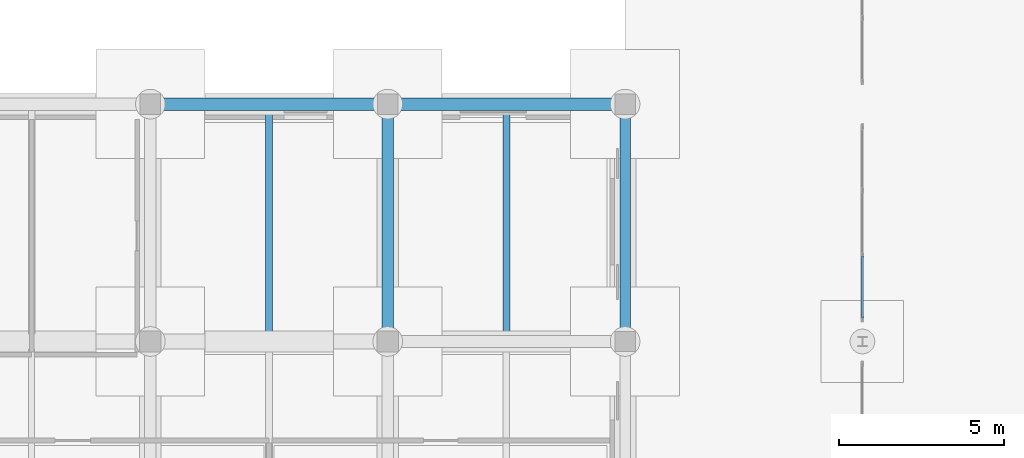
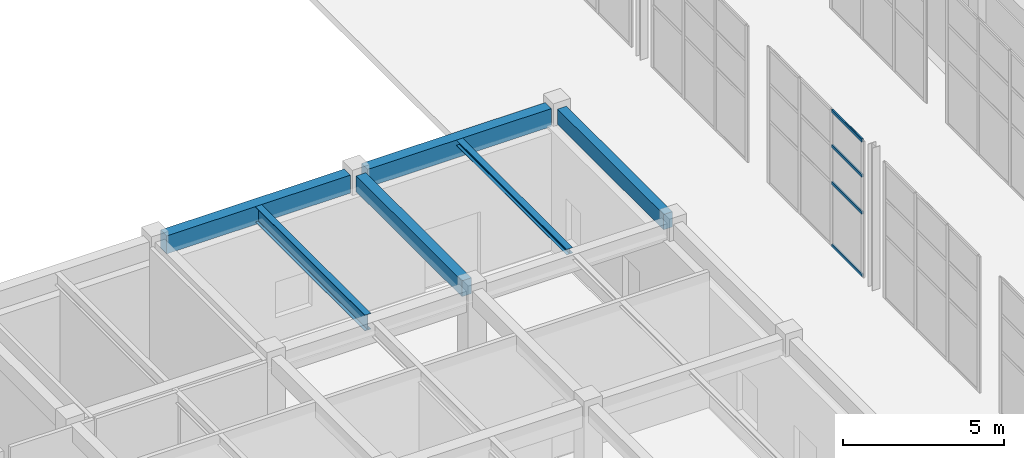
# One storey, part 26 of 91: 6 beams, 4 members, 1 element without a shape of its own.
"""IFC4 building model written with IfcOpenShell, lengths in metres."""

from ifc_helpers import new_model, si_unit, direction, frame, origin, origin_2d, place, context, subcontext, project, spatial, rectangle, hollow_rectangle, i_section, extrude, material, material_profile, profile_set, type_object, element, aggregate, save


model = new_model("IFC4")

# Units and contexts
model_context = context("Model", 3, precision=1e-05, world=origin(), true_north=direction((0.0, 1.0)))
body_context = subcontext(model_context, "Body", "Model", "MODEL_VIEW")
ifc_project = project(units=[si_unit("LENGTHUNIT", "METRE"), si_unit("AREAUNIT", "SQUARE_METRE"), si_unit("VOLUMEUNIT", "CUBIC_METRE"), si_unit("PLANEANGLEUNIT", "RADIAN"), si_unit("MASSUNIT", "GRAM", prefix="KILO")], contexts=[model_context])

# Site, building, storey
site_placement = place(None, origin())
site = spatial("IfcSite", under=ifc_project, at=site_placement, CompositionType="ELEMENT")
building_placement = place(site_placement, origin())
building = spatial("IfcBuilding", under=site, at=building_placement, Name="Bramveld Media Centre", CompositionType="ELEMENT")
storey_placement = place(building_placement, origin())
storey = spatial("IfcBuildingStorey", under=building, at=storey_placement, Name="L00", CompositionType="ELEMENT", Elevation=0.0)

# Beam
ifc_material_1 = material(Name="Concrete C40/50", Category="concrete")
ifc_material_profile_1 = material_profile(ifc_material_1, rectangle(XDim=0.35009765625, YDim=0.60009765625, at=origin_2d()), Name="RC 350x600")
ifc_profile_set_1 = profile_set([ifc_material_profile_1], Name="Concrete C40/50")
beam_type_1 = type_object("IfcBeamType", Name="BM-INT-RC-350x600", PredefinedType="BEAM", material=ifc_profile_set_1)
beam_1_placement = place(storey_placement, frame((101.60009765625, 14.72509765625, 4.85009765625), z_axis=(0.0, 1.0, 0.0), x_axis=(-1.0, 0.0, 0.0)))
element("IfcBeam", 1, at=beam_1_placement, inside=storey, type_object=beam_type_1, Name="V5 L00 girder Y-697", PredefinedType="BEAM", context=body_context, shape_type="SweptSolid", body=[
    extrude(rectangle(XDim=0.35009765625, YDim=0.60009765625, at=origin_2d()), origin(), (0.0, 0.0, 1.0), 6.56494140625),
])

# Curtain wall, members
ifc_material_2 = material(Name="Thermally broken anodized bronze aluminium unitized curtain wall with solar-control triple glazing", Category="aluminium")
curtain_wall_type = type_object("IfcCurtainWallType", Name="CW-GAL-5900x5160", PredefinedType="NOTDEFINED", material=ifc_material_2)
curtain_wall_placement = place(storey_placement, origin())
curtain_wall = element("IfcCurtainWall", 2, at=curtain_wall_placement, inside=storey, type_object=curtain_wall_type, Name="PASS-M colonnade glazed screen 3", PredefinedType="NOTDEFINED")
ifc_material_3 = material(Name="Thermally broken anodized bronze aluminium EN AW-6063 T6 curtain-wall framing", Category="aluminium")
ifc_material_profile_2 = material_profile(ifc_material_3, hollow_rectangle(XDim=0.06005859375, YDim=0.1201171875, WallThickness=0.00341796875, InnerFilletRadius=0.00341796875, OuterFilletRadius=0.007080078125, at=origin_2d()), Name="AL-TRAN 60x120")
ifc_profile_set_2 = profile_set([ifc_material_profile_2], Name="Thermally broken anodized bronze aluminium EN AW-6063 T6 curtain-wall framing")
member_type = type_object("IfcMemberType", Name="CW-TRAN-EXT", PredefinedType="USERDEFINED", material=ifc_profile_set_2)
member_1_placement = place(storey_placement, frame((116.0, 15.110107421875, 0.030029296875), z_axis=(0.0, 1.0, 0.0), x_axis=(-1.0, 0.0, 0.0)))
member_1 = element("IfcMember", 3, at=member_1_placement, type_object=member_type, Name="CW-GA-5951 transom 1.1", ObjectType="TRANSOM", PredefinedType="USERDEFINED", context=body_context, shape_type="SweptSolid", body=[
    extrude(hollow_rectangle(XDim=0.06005859375, YDim=0.1201171875, WallThickness=0.00341796875, InnerFilletRadius=0.00341796875, OuterFilletRadius=0.007080078125, at=origin_2d()), origin(), (0.0, 0.0, 1.0), 1.87646484375),
])
member_2_placement = place(storey_placement, frame((116.0, 15.110107421875, 2.39990234375), z_axis=(0.0, 1.0, 0.0), x_axis=(-1.0, 0.0, 0.0)))
member_2 = element("IfcMember", 4, at=member_2_placement, type_object=member_type, Name="CW-GA-5951 transom 1.2", ObjectType="TRANSOM", PredefinedType="USERDEFINED", context=body_context, shape_type="SweptSolid", body=[
    extrude(hollow_rectangle(XDim=0.06005859375, YDim=0.1201171875, WallThickness=0.00341796875, InnerFilletRadius=0.00341796875, OuterFilletRadius=0.007080078125, at=origin_2d()), origin(), (0.0, 0.0, 1.0), 1.87646484375),
])
member_3_placement = place(storey_placement, frame((116.0, 15.110107421875, 3.800048828125), z_axis=(0.0, 1.0, 0.0), x_axis=(-1.0, 0.0, 0.0)))
member_3 = element("IfcMember", 5, at=member_3_placement, type_object=member_type, Name="CW-GA-5951 transom 1.3", ObjectType="TRANSOM", PredefinedType="USERDEFINED", context=body_context, shape_type="SweptSolid", body=[
    extrude(hollow_rectangle(XDim=0.06005859375, YDim=0.1201171875, WallThickness=0.00341796875, InnerFilletRadius=0.00341796875, OuterFilletRadius=0.007080078125, at=origin_2d()), origin(), (0.0, 0.0, 1.0), 1.87646484375),
])
member_4_placement = place(storey_placement, frame((116.0, 15.110107421875, 5.1298828125), z_axis=(0.0, 1.0, 0.0), x_axis=(-1.0, 0.0, 0.0)))
member_4 = element("IfcMember", 6, at=member_4_placement, type_object=member_type, Name="CW-GA-5951 transom 1.4", ObjectType="TRANSOM", PredefinedType="USERDEFINED", context=body_context, shape_type="SweptSolid", body=[
    extrude(hollow_rectangle(XDim=0.06005859375, YDim=0.1201171875, WallThickness=0.00341796875, InnerFilletRadius=0.00341796875, OuterFilletRadius=0.007080078125, at=origin_2d()), origin(), (0.0, 0.0, 1.0), 1.87646484375),
])
aggregate(curtain_wall, [member_1, member_2, member_3, member_4])

# Beams
ifc_material_4 = material(Name="Steel S355J2", Category="steel")
ifc_material_profile_3 = material_profile(ifc_material_4, i_section(OverallWidth=0.219970703125, OverallDepth=0.2099609375, WebThickness=0.007080078125, FlangeThickness=0.010986328125, FilletRadius=0.01806640625, at=origin_2d()), Name="HEA 220")
ifc_profile_set_3 = profile_set([ifc_material_profile_3], Name="Steel S355J2")
beam_type_2 = type_object("IfcBeamType", Name="SBM-INT-HEA-220", PredefinedType="BEAM", material=ifc_profile_set_3)
beam_2_placement = place(storey_placement, frame((105.199951171875, 14.574951171875, 5.044921875), z_axis=(0.0, 1.0, 0.0), x_axis=(-1.0, 0.0, 0.0)))
element("IfcBeam", 7, at=beam_2_placement, inside=storey, type_object=beam_type_2, Name="V5 L00 secondary floor joist 715", PredefinedType="BEAM", context=body_context, shape_type="SweptSolid", body=[
    extrude(i_section(OverallWidth=0.219970703125, OverallDepth=0.2099609375, WebThickness=0.007080078125, FlangeThickness=0.010986328125, FilletRadius=0.01806640625, at=origin_2d()), origin(), (0.0, 0.0, 1.0), 6.8349609375),
])
ifc_material_5 = material(Name="Steel S355J2", Category="steel")
ifc_material_profile_4 = material_profile(ifc_material_5, i_section(OverallWidth=0.219970703125, OverallDepth=0.60009765625, WebThickness=0.011962890625, FlangeThickness=0.01904296875, FilletRadius=0.02392578125, at=origin_2d()), Name="IPE 600")
ifc_profile_set_4 = profile_set([ifc_material_profile_4], Name="Steel S355J2")
beam_type_3 = type_object("IfcBeamType", Name="SBM-INT-IPE-600", PredefinedType="BEAM", material=ifc_profile_set_4)
beam_3_placement = place(storey_placement, frame((98.0, 14.625, 4.85009765625), z_axis=(0.0, 1.0, 0.0), x_axis=(-1.0, 0.0, 0.0)))
element("IfcBeam", 8, at=beam_3_placement, inside=storey, type_object=beam_type_3, Name="V5 L00 secondary floor joist 712", PredefinedType="BEAM", context=body_context, shape_type="SweptSolid", body=[
    extrude(i_section(OverallWidth=0.219970703125, OverallDepth=0.60009765625, WebThickness=0.011962890625, FlangeThickness=0.01904296875, FilletRadius=0.02392578125, at=origin_2d()), origin(), (0.0, 0.0, 1.0), 6.784912109375),
])
ifc_material_6 = material(Name="Concrete C40/50", Category="concrete")
ifc_material_profile_5 = material_profile(ifc_material_6, rectangle(XDim=0.320068359375, YDim=0.580078125, at=origin_2d()), Name="RC 320x580")
ifc_profile_set_5 = profile_set([ifc_material_profile_5], Name="Concrete C40/50")
beam_type_4 = type_object("IfcBeamType", Name="SPANDREL-EXT-RC-320x580", PredefinedType="SPANDREL", material=ifc_profile_set_5)
beam_4_placement = place(storey_placement, frame((108.800048828125, 14.7099609375, 4.860107421875), z_axis=(0.0, 1.0, 0.0), x_axis=(-1.0, 0.0, 0.0)))
element("IfcBeam", 9, at=beam_4_placement, inside=storey, type_object=beam_type_4, Name="V5 L00 girder Y-700", PredefinedType="SPANDREL", context=body_context, shape_type="SweptSolid", body=[
    extrude(rectangle(XDim=0.320068359375, YDim=0.580078125, at=origin_2d()), origin(), (0.0, 0.0, 1.0), 6.580078125),
])
ifc_material_7 = material(Name="Concrete C40/50", Category="concrete")
ifc_material_profile_6 = material_profile(ifc_material_7, rectangle(XDim=0.3798828125, YDim=0.679931640625, at=origin_2d()), Name="RC 380x680")
ifc_profile_set_6 = profile_set([ifc_material_profile_6], Name="Concrete C40/50")
beam_type_5 = type_object("IfcBeamType", Name="SPANDREL-EXT-RC-380x680", PredefinedType="SPANDREL", material=ifc_profile_set_6)
for number, where, z_axis, x_axis, name in (
    (10, (94.7099609375, 21.60009765625, 4.81005859375), (1.0, 0.0, 0.0), (0.0, 1.0, 0.0), "V5 L00 girder X-677"),
    (11, (101.909912109375, 21.60009765625, 4.81005859375), (1.0, 0.0, 0.0), (0.0, 1.0, 0.0), "V5 L00 girder X-678"),
):
    element("IfcBeam", number, at=place(storey_placement, frame(where, z_axis=z_axis, x_axis=x_axis)), inside=storey, type_object=beam_type_5, Name=name, PredefinedType="SPANDREL", context=body_context, shape_type="SweptSolid", body=[
        extrude(rectangle(XDim=0.3798828125, YDim=0.679931640625, at=origin_2d()), origin(), (0.0, 0.0, 1.0), 6.580078125),
    ])

save(model, "model.ifc")
